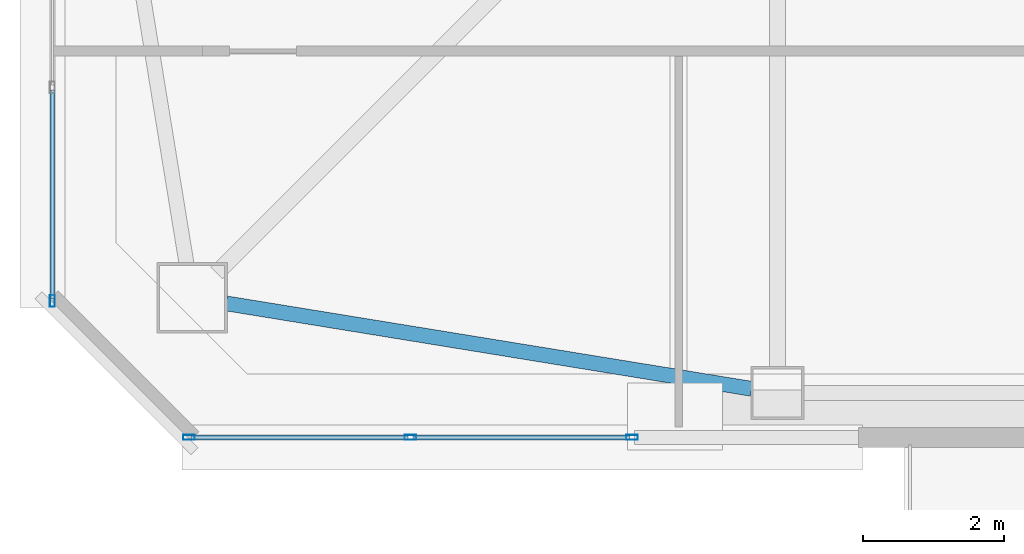
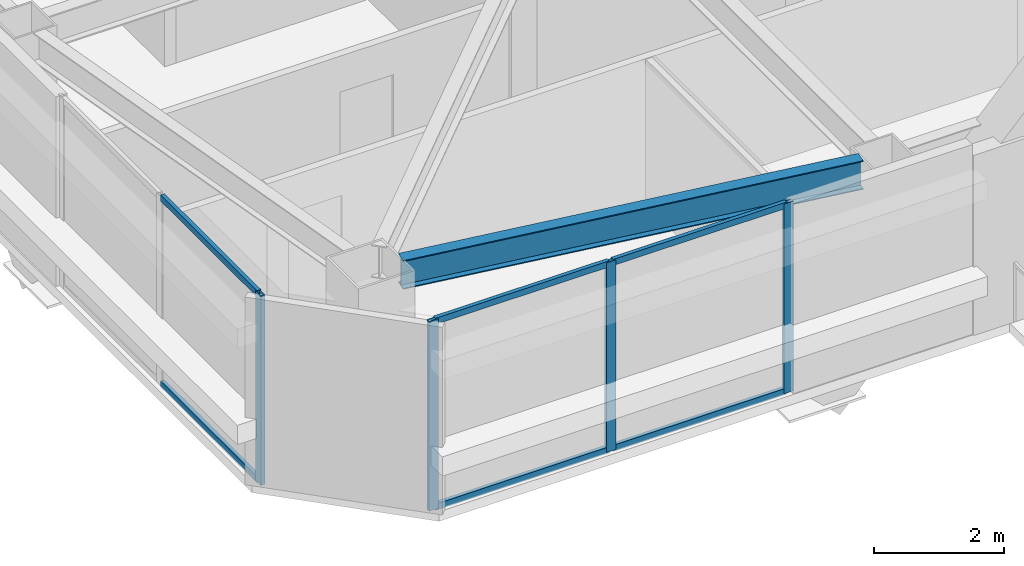
# One storey, part 3 of 39: 10 members, 1 beam, 2 elements without a shape of their own.
"""IFC4 building model written with IfcOpenShell, lengths in metres."""

from ifc_helpers import new_model, si_unit, direction, frame, origin, origin_2d, place, context, subcontext, project, spatial, hollow_rectangle, i_section, extrude, material, material_profile, profile_set, type_object, element, aggregate, save


model = new_model("IFC4")

# Units and contexts
model_context = context("Model", 3, precision=1e-05, world=origin(), true_north=direction((0.0, 1.0)))
body_context = subcontext(model_context, "Body", "Model", "MODEL_VIEW")
ifc_project = project(units=[si_unit("LENGTHUNIT", "METRE"), si_unit("AREAUNIT", "SQUARE_METRE"), si_unit("VOLUMEUNIT", "CUBIC_METRE"), si_unit("PLANEANGLEUNIT", "RADIAN"), si_unit("MASSUNIT", "GRAM", prefix="KILO")], contexts=[model_context])

# Site, building, storey
site_placement = place(None, origin())
site = spatial("IfcSite", under=ifc_project, at=site_placement, CompositionType="ELEMENT")
building_placement = place(site_placement, origin())
building = spatial("IfcBuilding", under=site, at=building_placement, Name="Tashvorn Skyway Center", CompositionType="ELEMENT")
storey_placement = place(building_placement, frame((0.0, 0.0, 239.699951171875)))
storey = spatial("IfcBuildingStorey", under=building, at=storey_placement, Name="L65", CompositionType="ELEMENT", Elevation=239.699951171875)

# Beam
ifc_material_1 = material(Name="Steel ASTM A992 Grade 50", Category="steel")
ifc_material_profile_1 = material_profile(ifc_material_1, i_section(OverallWidth=0.2109375, OverallDepth=0.5390625, WebThickness=0.01171875, FlangeThickness=0.018798828125, at=origin_2d()), Name="W21X73")
ifc_profile_set_1 = profile_set([ifc_material_profile_1], Name="Steel ASTM A992 Grade 50")
beam_type = type_object("IfcBeamType", Name="BM-SPANDREL-W21X73", PredefinedType="SPANDREL", material=ifc_profile_set_1)
beam_placement = place(storey_placement, frame((28.78857421875, 18.220458984375, 3.1005859375), z_axis=(0.987033514444, -0.160514302677, 0.0), x_axis=(0.160514302677, 0.987033514444, 0.0)))
element("IfcBeam", 1, at=beam_placement, inside=storey, type_object=beam_type, Name="Tower 1 L65 Spandrel Beam 01", PredefinedType="SPANDREL", context=body_context, shape_type="SweptSolid", body=[
    extrude(i_section(OverallWidth=0.2109375, OverallDepth=0.5390625, WebThickness=0.01171875, FlangeThickness=0.018798828125, at=origin_2d()), origin(), (0.0, 0.0, 1.0), 7.544189453125),
])

# Curtain wall, members
ifc_material_2 = material(Name="Thermally broken bronze-anodized aluminium 6063-T6", Category="aluminium")
curtain_wall_type = type_object("IfcCurtainWallType", Name="CW-CW-Z5", PredefinedType="NOTDEFINED", material=ifc_material_2)
curtain_wall_1_placement = place(storey_placement, origin())
curtain_wall_1 = element("IfcCurtainWall", 2, at=curtain_wall_1_placement, inside=storey, type_object=curtain_wall_type, Name="Tower 1 L65 South Curtain Wall R Glazing Group 1", PredefinedType="NOTDEFINED")
ifc_material_profile_2 = material_profile(ifc_material_2, hollow_rectangle(XDim=0.070068359375, YDim=0.1650390625, WallThickness=0.00390625, at=origin_2d()), Name="ALU-MULL-70x165")
ifc_profile_set_2 = profile_set([ifc_material_profile_2], Name="Thermally broken bronze-anodized aluminium 6063-T6")
member_type_1 = type_object("IfcMemberType", Name="CWM-CW-Z5", PredefinedType="MULLION", material=ifc_profile_set_2)
member_1_placement = place(storey_placement, frame((34.538330078125, 16.320068359375, 0.0), z_axis=(0.0, 0.0, 1.0), x_axis=(0.0, -1.0, 0.0)))
member_1 = element("IfcMember", 3, at=member_1_placement, type_object=member_type_1, Name="CW-Z5 mullion 1", PredefinedType="MULLION", context=body_context, shape_type="SweptSolid", body=[
    extrude(hollow_rectangle(XDim=0.070068359375, YDim=0.1650390625, WallThickness=0.00390625, at=origin_2d()), origin(), (0.0, 0.0, 1.0), 3.550048828125),
])
member_2_placement = place(storey_placement, frame((31.396728515625, 16.320068359375, 0.0), z_axis=(0.0, 0.0, 1.0), x_axis=(0.0, -1.0, 0.0)))
member_2 = element("IfcMember", 4, at=member_2_placement, type_object=member_type_1, Name="CW-Z5 mullion 2", PredefinedType="MULLION", context=body_context, shape_type="SweptSolid", body=[
    extrude(hollow_rectangle(XDim=0.070068359375, YDim=0.1650390625, WallThickness=0.00390625, at=origin_2d()), origin(), (0.0, 0.0, 1.0), 3.550048828125),
])
member_3_placement = place(storey_placement, frame((28.2548828125, 16.320068359375, 0.0), z_axis=(0.0, 0.0, 1.0), x_axis=(0.0, -1.0, 0.0)))
member_3 = element("IfcMember", 5, at=member_3_placement, type_object=member_type_1, Name="CW-Z5 mullion 3", PredefinedType="MULLION", context=body_context, shape_type="SweptSolid", body=[
    extrude(hollow_rectangle(XDim=0.070068359375, YDim=0.1650390625, WallThickness=0.00390625, at=origin_2d()), origin(), (0.0, 0.0, 1.0), 3.550048828125),
])

# Curtain wall, member
curtain_wall_2_placement = place(storey_placement, origin())
curtain_wall_2 = element("IfcCurtainWall", 6, at=curtain_wall_2_placement, inside=storey, type_object=curtain_wall_type, Name="Tower 1 L65 West Unitised Curtain Wall Glazing Group 1", PredefinedType="NOTDEFINED")
member_4_placement = place(storey_placement, frame((26.320068359375, 18.2548828125, 0.0), z_axis=(0.0, 0.0, 1.0), x_axis=(-1.0, 0.0, 0.0)))
member_4 = element("IfcMember", 7, at=member_4_placement, type_object=member_type_1, Name="CW-Z5 mullion 1", PredefinedType="MULLION", context=body_context, shape_type="SweptSolid", body=[
    extrude(hollow_rectangle(XDim=0.070068359375, YDim=0.1650390625, WallThickness=0.00390625, at=origin_2d()), origin(), (0.0, 0.0, 1.0), 3.550048828125),
])

# Member
ifc_material_profile_3 = material_profile(ifc_material_2, hollow_rectangle(XDim=0.070068359375, YDim=0.114990234375, WallThickness=0.00390625, at=origin_2d()), Name="ALU-TRAN-70x115")
ifc_profile_set_3 = profile_set([ifc_material_profile_3], Name="Thermally broken bronze-anodized aluminium 6063-T6")
member_type_2 = type_object("IfcMemberType", Name="CWT-CW-Z5", PredefinedType="USERDEFINED", material=ifc_profile_set_3)
member_5_placement = place(storey_placement, frame((34.50341796875, 16.320068359375, 0.03515625), z_axis=(-1.0, 0.0, 0.0), x_axis=(0.0, -1.0, 0.0)))
member_5 = element("IfcMember", 8, at=member_5_placement, type_object=member_type_2, Name="CW-Z5 transom 1.1", ObjectType="TRANSOM", PredefinedType="USERDEFINED", context=body_context, shape_type="SweptSolid", body=[
    extrude(hollow_rectangle(XDim=0.070068359375, YDim=0.114990234375, WallThickness=0.00390625, at=origin_2d()), origin(), (0.0, 0.0, 1.0), 3.07177734375),
])

member_6_placement = place(storey_placement, frame((34.50341796875, 16.320068359375, 3.51513671875), z_axis=(-1.0, 0.0, 0.0), x_axis=(0.0, -1.0, 0.0)))
member_6 = element("IfcMember", 9, at=member_6_placement, type_object=member_type_2, Name="CW-Z5 transom 1.2", ObjectType="TRANSOM", PredefinedType="USERDEFINED", context=body_context, shape_type="SweptSolid", body=[
    extrude(hollow_rectangle(XDim=0.070068359375, YDim=0.114990234375, WallThickness=0.00390625, at=origin_2d()), origin(), (0.0, 0.0, 1.0), 3.07177734375),
])

member_7_placement = place(storey_placement, frame((31.361572265625, 16.320068359375, 0.03515625), z_axis=(-1.0, 0.0, 0.0), x_axis=(0.0, -1.0, 0.0)))
member_7 = element("IfcMember", 10, at=member_7_placement, type_object=member_type_2, Name="CW-Z5 transom 2.1", ObjectType="TRANSOM", PredefinedType="USERDEFINED", context=body_context, shape_type="SweptSolid", body=[
    extrude(hollow_rectangle(XDim=0.070068359375, YDim=0.114990234375, WallThickness=0.00390625, at=origin_2d()), origin(), (0.0, 0.0, 1.0), 3.071533203125),
])

member_8_placement = place(storey_placement, frame((31.361572265625, 16.320068359375, 3.51513671875), z_axis=(-1.0, 0.0, 0.0), x_axis=(0.0, -1.0, 0.0)))
member_8 = element("IfcMember", 11, at=member_8_placement, type_object=member_type_2, Name="CW-Z5 transom 2.2", ObjectType="TRANSOM", PredefinedType="USERDEFINED", context=body_context, shape_type="SweptSolid", body=[
    extrude(hollow_rectangle(XDim=0.070068359375, YDim=0.114990234375, WallThickness=0.00390625, at=origin_2d()), origin(), (0.0, 0.0, 1.0), 3.071533203125),
])

aggregate(curtain_wall_1, [member_1, member_2, member_3, member_5, member_6, member_7, member_8])

member_9_placement = place(storey_placement, frame((26.320068359375, 18.2900390625, 0.03515625), z_axis=(0.0, 1.0, 0.0), x_axis=(-1.0, 0.0, 0.0)))
member_9 = element("IfcMember", 12, at=member_9_placement, type_object=member_type_2, Name="CW-Z5 transom 1.1", ObjectType="TRANSOM", PredefinedType="USERDEFINED", context=body_context, shape_type="SweptSolid", body=[
    extrude(hollow_rectangle(XDim=0.070068359375, YDim=0.114990234375, WallThickness=0.00390625, at=origin_2d()), origin(), (0.0, 0.0, 1.0), 2.957275390625),
])

member_10_placement = place(storey_placement, frame((26.320068359375, 18.2900390625, 3.51513671875), z_axis=(0.0, 1.0, 0.0), x_axis=(-1.0, 0.0, 0.0)))
member_10 = element("IfcMember", 13, at=member_10_placement, type_object=member_type_2, Name="CW-Z5 transom 1.2", ObjectType="TRANSOM", PredefinedType="USERDEFINED", context=body_context, shape_type="SweptSolid", body=[
    extrude(hollow_rectangle(XDim=0.070068359375, YDim=0.114990234375, WallThickness=0.00390625, at=origin_2d()), origin(), (0.0, 0.0, 1.0), 2.957275390625),
])

aggregate(curtain_wall_2, [member_4, member_9, member_10])

save(model, "model.ifc")
